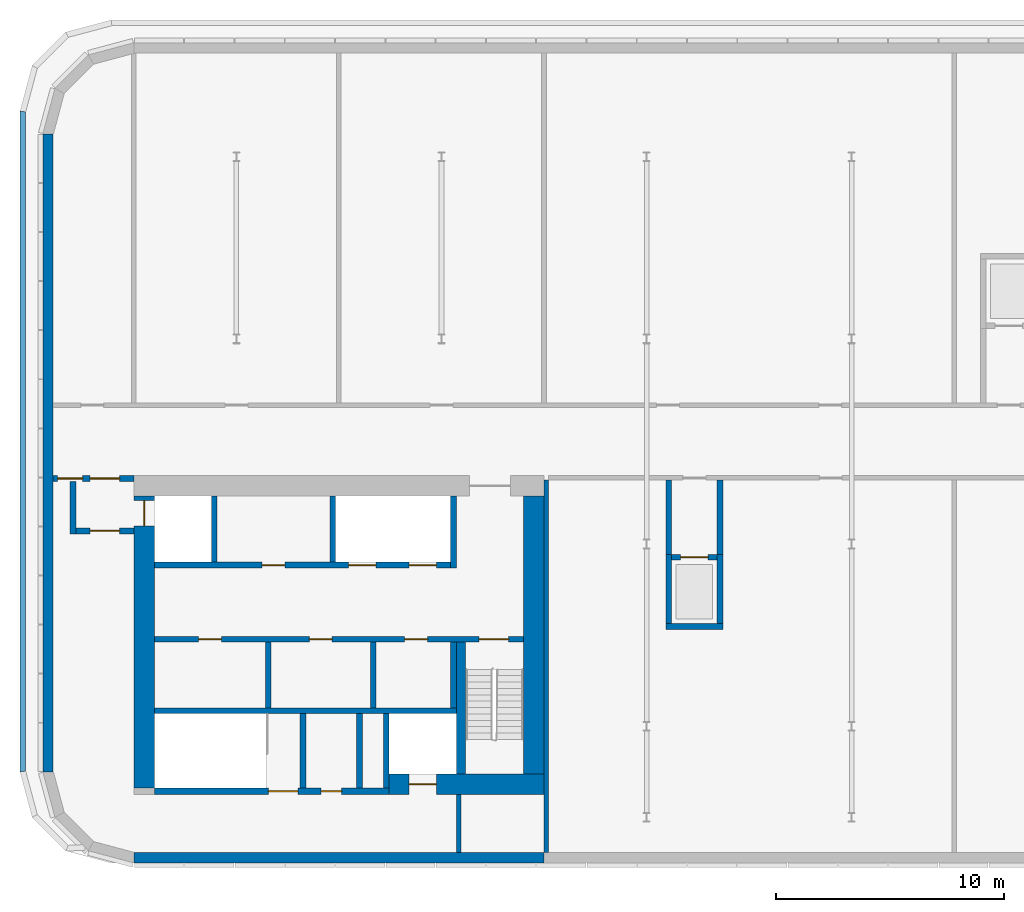
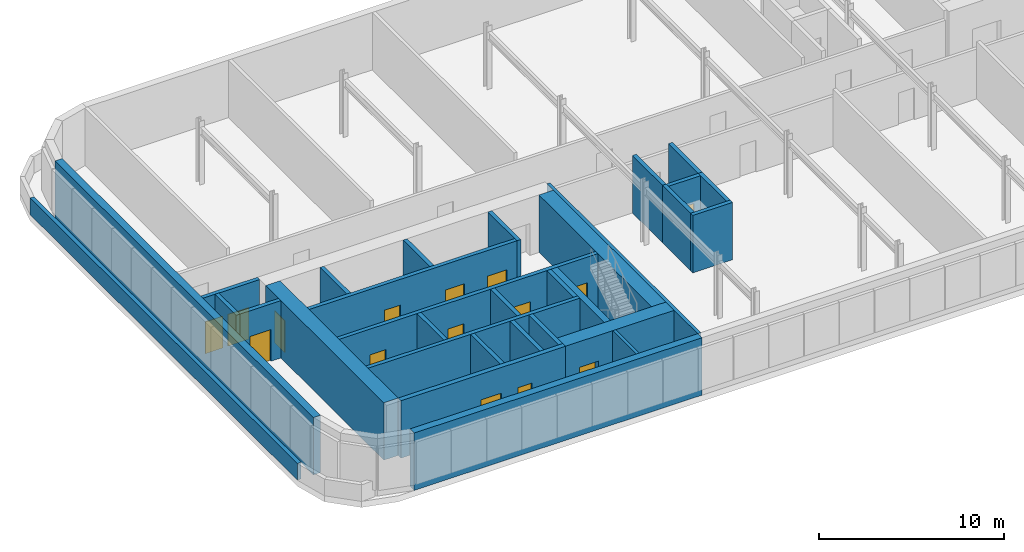
# One storey, part 4 of 10: 31 walls, 15 doors, 15 openings.
"""IFC4 building model written with IfcOpenShell, lengths in metres."""

from ifc_helpers import new_model, si_unit, direction, frame, frame_2d, origin, place, context, subcontext, project, spatial, polyline, rectangle, outline, extrude, material, layer, layer_set, type_object, element, fill, save


model = new_model("IFC4")

# Units and contexts
model_context = context("Model", 3, precision=1e-05, world=origin(), true_north=direction((0.0, 1.0)))
body_context = subcontext(model_context, "Body", "Model", "MODEL_VIEW")
ifc_project = project(units=[si_unit("LENGTHUNIT", "METRE"), si_unit("AREAUNIT", "SQUARE_METRE"), si_unit("VOLUMEUNIT", "CUBIC_METRE"), si_unit("PLANEANGLEUNIT", "RADIAN"), si_unit("MASSUNIT", "GRAM", prefix="KILO")], contexts=[model_context])

# Site, building, storey
site_placement = place(None, origin())
site = spatial("IfcSite", under=ifc_project, at=site_placement, CompositionType="ELEMENT")
building_placement = place(site_placement, origin())
building = spatial("IfcBuilding", under=site, at=building_placement, Name="Kajstack Hotel Tower", CompositionType="ELEMENT")
storey_placement = place(building_placement, frame((0.0, 0.0, 313.60009765625)))
storey = spatial("IfcBuildingStorey", under=building, at=storey_placement, Name="L79", CompositionType="ELEMENT", Elevation=313.60009765625)

# Wall, opening, door
ifc_material_1 = material(Name="Concrete C60/75", Category="concrete")
ifc_layer_1 = layer(ifc_material_1, 0.89990234375)
ifc_layer_set_1 = layer_set([ifc_layer_1], Name="Core wall 900")
wall_type_1 = type_object("IfcWallType", Name="Core wall 900", PredefinedType="SHEAR", material=ifc_layer_set_1)
wall_1_placement = place(storey_placement, frame((-20.300048828125, -15.050048828125, 0.0), z_axis=(0.0, 0.0, 1.0), x_axis=(1.0, 0.0, 0.0)))
wall_1 = element("IfcWall", 1, at=wall_1_placement, inside=storey, type_object=wall_type_1, Name="Core wall W RS", PredefinedType="SHEAR", context=body_context, shape_type="SweptSolid", body=[
    extrude(rectangle(XDim=6.800048828125, YDim=0.89990234375, at=frame_2d((3.39990234375, 0.0))), origin(), (0.0, 0.0, 1.0), 3.7998046875),
])
opening_1_placement = place(wall_1_placement, frame((0.875, 0.0, 0.0)))
opening_1 = element("IfcOpeningElement", 2, at=opening_1_placement, cuts=wall_1, Name="Opening LD-SV1", PredefinedType="OPENING", context=body_context, shape_type="SweptSolid", body=[
    extrude(rectangle(XDim=1.199951171875, YDim=2.10009765625, at=frame_2d((0.60009765625, 1.050048828125))), frame((0.0, 0.4599609375, 0.0), z_axis=(0.0, -1.0, 0.0), x_axis=(1.0, 0.0, 0.0)), (0.0, 0.0, 1.0), 0.919921875),
])
ifc_material_2 = material(Name="Stainless steel", Category="steel")
door_type_1 = type_object("IfcDoorType", Name="Lift landing door 1200", OperationType="SLIDING_TO_LEFT", PredefinedType="DOOR", material=ifc_material_2)
door_1_placement = place(opening_1_placement, origin())
door_1 = element("IfcDoor", 3, at=door_1_placement, inside=storey, type_object=door_type_1, Name="Landing door SV1", OperationType="SLIDING_TO_LEFT", OverallHeight=2.10009765625, OverallWidth=1.199951171875, PredefinedType="DOOR", context=body_context, shape_type="SweptSolid", body=[
    extrude(rectangle(XDim=1.199951171875, YDim=2.10009765625, at=frame_2d((0.60009765625, 1.050048828125))), frame((0.0, 0.02490234375, 0.0), z_axis=(0.0, -1.0, 0.0), x_axis=(1.0, 0.0, 0.0)), (0.0, 0.0, 1.0), 0.050048828125),
])
fill(opening_1, door_1)

wall_2_placement = place(storey_placement, frame((-31.050048828125, -15.199951171875, 0.0), z_axis=(0.0, 0.0, 1.0), x_axis=(0.0, 1.0, 0.0)))
wall_2 = element("IfcWall", 4, at=wall_2_placement, inside=storey, type_object=wall_type_1, Name="Core wall W RW", PredefinedType="SHEAR", context=body_context, shape_type="SweptSolid", body=[
    extrude(rectangle(XDim=12.800048828125, YDim=0.89990234375, at=frame_2d((6.39990234375, 0.0))), origin(), (0.0, 0.0, 1.0), 3.7998046875),
])
opening_2_placement = place(wall_2_placement, frame((11.5, 0.0, 0.0)))
opening_2 = element("IfcOpeningElement", 5, at=opening_2_placement, cuts=wall_2, Name="Opening LD-FF1", PredefinedType="OPENING", context=body_context, shape_type="SweptSolid", body=[
    extrude(rectangle(XDim=1.10009765625, YDim=2.10009765625, at=frame_2d((0.550048828125, 1.050048828125))), frame((0.0, 0.4599609375, 0.0), z_axis=(0.0, -1.0, 0.0), x_axis=(1.0, 0.0, 0.0)), (0.0, 0.0, 1.0), 0.919921875),
])
door_type_2 = type_object("IfcDoorType", Name="Fire-fighting lift landing door 1100", OperationType="SLIDING_TO_LEFT", PredefinedType="DOOR", material=ifc_material_2)
door_2_placement = place(opening_2_placement, origin())
door_2 = element("IfcDoor", 6, at=door_2_placement, inside=storey, type_object=door_type_2, Name="Landing door FF1", OperationType="SLIDING_TO_RIGHT", OverallHeight=2.10009765625, OverallWidth=1.10009765625, PredefinedType="DOOR", context=body_context, shape_type="SweptSolid", body=[
    extrude(rectangle(XDim=1.10009765625, YDim=2.10009765625, at=frame_2d((0.550048828125, 1.050048828125))), frame((0.0, 0.02490234375, 0.0), z_axis=(0.0, -1.0, 0.0), x_axis=(1.0, 0.0, 0.0)), (0.0, 0.0, 1.0), 0.050048828125),
])
fill(opening_2, door_2)

# Walls
wall_3_placement = place(storey_placement, frame((-13.949951171875, -14.60009765625, 0.0), z_axis=(0.0, 0.0, 1.0), x_axis=(0.0, 1.0, 0.0)))
element("IfcWall", 7, at=wall_3_placement, inside=storey, type_object=wall_type_1, Name="Core wall W RE", PredefinedType="SHEAR", context=body_context, shape_type="SweptSolid", body=[
    extrude(rectangle(XDim=12.2001953125, YDim=0.89990234375, at=frame_2d((6.10009765625, 0.0))), origin(), (0.0, 0.0, 1.0), 3.7998046875),
])
ifc_material_3 = material(Name="Concrete C40/50", Category="concrete")
ifc_layer_2 = layer(ifc_material_3, 0.449951171875)
ifc_layer_set_2 = layer_set([ifc_layer_2], Name="EW-CORE")
wall_type_2 = type_object("IfcWallType", Name="EW-CORE", PredefinedType="SOLIDWALL", material=ifc_layer_set_2)
wall_4_placement = place(storey_placement, frame((-31.5, -18.27490234375, 0.0), z_axis=(0.0, 0.0, 1.0), x_axis=(1.0, 0.0, 0.0)))
element("IfcWall", 8, at=wall_4_placement, inside=storey, type_object=wall_type_2, Name="E-wall-L79-03-00", PredefinedType="SOLIDWALL", context=body_context, shape_type="SweptSolid", body=[
    extrude(rectangle(XDim=18.0, YDim=0.449951171875, at=frame_2d((9.0, 0.0))), origin(), (0.0, 0.0, 1.0), 3.7998046875),
])
ifc_material_4 = material(Name="Zinc-clad block masonry", Category="masonry")
ifc_layer_3 = layer(ifc_material_4, 0.449951171875)
ifc_layer_set_3 = layer_set([ifc_layer_3], Name="EW-ZINC")
wall_type_3 = type_object("IfcWallType", Name="EW-ZINC", PredefinedType="SOLIDWALL", material=ifc_layer_set_3)
wall_5_placement = place(storey_placement, frame((-35.27490234375, 13.5, 0.0), z_axis=(0.0, 0.0, 1.0), x_axis=(0.0, -1.0, 0.0)))
element("IfcWall", 9, at=wall_5_placement, inside=storey, type_object=wall_type_3, Name="E-wall-L79-15-00", PredefinedType="SOLIDWALL", context=body_context, shape_type="SweptSolid", body=[
    extrude(rectangle(XDim=28.0, YDim=0.449951171875, at=frame_2d((14.0, 0.0))), origin(), (0.0, 0.0, 1.0), 3.7998046875),
])
ifc_material_5 = material(Name="Concrete C50/60", Category="concrete")
ifc_layer_4 = layer(ifc_material_5, 0.300048828125)
ifc_layer_set_4 = layer_set([ifc_layer_4], Name="Hoistway divider wall 300")
wall_type_4 = type_object("IfcWallType", Name="Hoistway divider wall 300", PredefinedType="SHEAR", material=ifc_layer_set_4)
wall_6_placement = place(storey_placement, frame((-22.77490234375, -5.300048828125, 0.0), z_axis=(0.0, 0.0, 1.0), x_axis=(0.0, 1.0, 0.0)))
element("IfcWall", 10, at=wall_6_placement, inside=storey, type_object=wall_type_4, Name="Core wall W AP2", PredefinedType="SHEAR", context=body_context, shape_type="SweptSolid", body=[
    extrude(rectangle(XDim=2.900146484375, YDim=0.25, at=frame_2d((1.4501953125, 0.0))), origin(), (0.0, 0.0, 1.0), 3.7998046875),
])
ifc_layer_5 = layer(ifc_material_4, 0.25)
ifc_layer_set_5 = layer_set([ifc_layer_5], Name="PARAPET-ZINC")
wall_type_5 = type_object("IfcWallType", Name="PARAPET-ZINC", PredefinedType="PARAPET", material=ifc_layer_set_5)
wall_7_placement = place(storey_placement, origin())
element("IfcWall", 11, at=wall_7_placement, inside=storey, type_object=wall_type_5, Name="Parapet L79-01-01-04", PredefinedType="PARAPET", context=body_context, shape_type="SweptSolid", body=[
    extrude(outline(polyline([(-36.5, -14.5), (-36.25, -14.467041015625), (-36.25, 14.467041015625), (-36.5, 14.5), (-36.5, -14.5)])), origin(), (0.0, 0.0, 1.0), 1.099853515625),
])
ifc_material_6 = material(Name="Gypsum board on steel studs, mineral wool", Category="steel")
ifc_layer_6 = layer(ifc_material_6, 0.199951171875)
ifc_layer_set_6 = layer_set([ifc_layer_6], Name="Public partition 200")
wall_type_6 = type_object("IfcWallType", Name="Public partition 200", PredefinedType="PARTITIONING", material=ifc_layer_set_6)
wall_8_placement = place(storey_placement, frame((-13.39990234375, -18.050048828125, 0.0), z_axis=(0.0, 0.0, 1.0), x_axis=(0.0, 1.0, 0.0)))
element("IfcWall", 12, at=wall_8_placement, inside=storey, type_object=wall_type_6, Name="Partition SEW", PredefinedType="PARTITIONING", context=body_context, shape_type="SweptSolid", body=[
    extrude(rectangle(XDim=16.35009765625, YDim=0.199951171875, at=frame_2d((8.175048828125, 0.0))), origin(), (0.0, 0.0, 1.0), 3.7998046875),
])
ifc_material_7 = material(Name="Concrete block masonry", Category="masonry")
ifc_layer_7 = layer(ifc_material_7, 0.25)
ifc_layer_set_7 = layer_set([ifc_layer_7], Name="Riser partition 250")
wall_type_7 = type_object("IfcWallType", Name="Riser partition 250", PredefinedType="PARTITIONING", material=ifc_layer_set_7)
for number, where, z_axis, x_axis, name in (
    (13, (-25.60009765625, -11.699951171875, 0.0), (0.0, 0.0, 1.0), (0.0, 1.0, 0.0), "Partition W BF0"),
    (14, (-21.0, -11.699951171875, 0.0), (0.0, 0.0, 1.0), (0.0, 1.0, 0.0), "Partition W BF1"),
):
    element("IfcWall", number, at=place(storey_placement, frame(where, z_axis=z_axis, x_axis=x_axis)), inside=storey, type_object=wall_type_7, Name=name, PredefinedType="PARTITIONING", context=body_context, shape_type="SweptSolid", body=[
        extrude(rectangle(XDim=2.89990234375, YDim=0.25, at=frame_2d((1.449951171875, 0.0))), origin(), (0.0, 0.0, 1.0), 3.7998046875),
    ])
wall_9_placement = place(storey_placement, frame((-21.60009765625, -15.199951171875, 0.0), z_axis=(0.0, 0.0, 1.0), x_axis=(0.0, 1.0, 0.0)))
element("IfcWall", 15, at=wall_9_placement, inside=storey, type_object=wall_type_7, Name="Partition W SZ0", PredefinedType="PARTITIONING", context=body_context, shape_type="SweptSolid", body=[
    extrude(rectangle(XDim=3.25, YDim=0.25, at=frame_2d((1.625, 0.0))), origin(), (0.0, 0.0, 1.0), 3.7998046875),
])
ifc_layer_8 = layer(ifc_material_6, 0.199951171875)
ifc_layer_set_8 = layer_set([ifc_layer_8], Name="Service partition 200")
wall_type_8 = type_object("IfcWallType", Name="Service partition 200", PredefinedType="PARTITIONING", material=ifc_layer_set_8)
for number, where, z_axis, x_axis, name in (
    (16, (-8.02490234375, -4.949951171875, 0.0), (0.0, 0.0, 1.0), (0.0, 1.0, 0.0), "Partition W CLLW"),
    (17, (-5.77490234375, -4.949951171875, 0.0), (0.0, 0.0, 1.0), (0.0, 1.0, 0.0), "Partition W CLLE"),
):
    element("IfcWall", number, at=place(storey_placement, frame(where, z_axis=z_axis, x_axis=x_axis)), inside=storey, type_object=wall_type_8, Name=name, PredefinedType="PARTITIONING", context=body_context, shape_type="SweptSolid", body=[
        extrude(rectangle(XDim=3.25, YDim=0.25, at=frame_2d((1.625, 0.0))), origin(), (0.0, 0.0, 1.0), 3.7998046875),
    ])

# Wall, openings, doors
wall_10_placement = place(storey_placement, frame((-35.050048828125, -1.625, 0.0), z_axis=(0.0, 0.0, 1.0), x_axis=(1.0, 0.0, 0.0)))
wall_10 = element("IfcWall", 18, at=wall_10_placement, inside=storey, type_object=wall_type_8, Name="Partition W SN", PredefinedType="PARTITIONING", context=body_context, shape_type="SweptSolid", body=[
    extrude(rectangle(XDim=3.550048828125, YDim=0.25, at=frame_2d((1.77490234375, 0.0))), origin(), (0.0, 0.0, 1.0), 3.7998046875),
])
opening_3_placement = place(wall_10_placement, frame((1.625, 0.0, 0.0)))
opening_3 = element("IfcOpeningElement", 19, at=opening_3_placement, cuts=wall_10, Name="Opening 79W07", PredefinedType="OPENING", context=body_context, shape_type="SweptSolid", body=[
    extrude(rectangle(XDim=1.300048828125, YDim=2.10009765625, at=frame_2d((0.64990234375, 1.050048828125))), frame((0.0, 0.135009765625, 0.0), z_axis=(0.0, -1.0, 0.0), x_axis=(1.0, 0.0, 0.0)), (0.0, 0.0, 1.0), 0.27001953125),
])
opening_4_placement = place(wall_10_placement, frame((0.199951171875, 0.0, 0.0)))
opening_4 = element("IfcOpeningElement", 20, at=opening_4_placement, cuts=wall_10, Name="Opening 79W09", PredefinedType="OPENING", context=body_context, shape_type="SweptSolid", body=[
    extrude(rectangle(XDim=1.10009765625, YDim=2.10009765625, at=frame_2d((0.550048828125, 1.050048828125))), frame((0.0, 0.135009765625, 0.0), z_axis=(0.0, -1.0, 0.0), x_axis=(1.0, 0.0, 0.0)), (0.0, 0.0, 1.0), 0.27001953125),
])
ifc_material_8 = material(Name="Steel leaf, fire-rated", Category="steel")
door_type_3 = type_object("IfcDoorType", Name="Fire lobby door 1300", OperationType="SINGLE_SWING_LEFT", PredefinedType="DOOR", material=ifc_material_8)
door_3_placement = place(opening_3_placement, origin())
door_3 = element("IfcDoor", 21, at=door_3_placement, inside=storey, type_object=door_type_3, Name="Door 79W07", OperationType="SINGLE_SWING_RIGHT", OverallHeight=2.10009765625, OverallWidth=1.300048828125, PredefinedType="DOOR", context=body_context, shape_type="SweptSolid", body=[
    extrude(rectangle(XDim=1.300048828125, YDim=2.10009765625, at=frame_2d((0.64990234375, 1.050048828125))), frame((0.0, 0.02490234375, 0.0), z_axis=(0.0, -1.0, 0.0), x_axis=(1.0, 0.0, 0.0)), (0.0, 0.0, 1.0), 0.050048828125),
])
fill(opening_3, door_3)
ifc_material_9 = material(Name="Timber leaf, fire-rated", Category="wood")
door_type_4 = type_object("IfcDoorType", Name="Service corridor door 1100", OperationType="SINGLE_SWING_LEFT", PredefinedType="DOOR", material=ifc_material_9)
door_4_placement = place(opening_4_placement, origin())
door_4 = element("IfcDoor", 22, at=door_4_placement, inside=storey, type_object=door_type_4, Name="Door 79W09", OperationType="SINGLE_SWING_RIGHT", OverallHeight=2.10009765625, OverallWidth=1.10009765625, PredefinedType="DOOR", context=body_context, shape_type="SweptSolid", body=[
    extrude(rectangle(XDim=1.10009765625, YDim=2.10009765625, at=frame_2d((0.550048828125, 1.050048828125))), frame((0.0, 0.02490234375, 0.0), z_axis=(0.0, -1.0, 0.0), x_axis=(1.0, 0.0, 0.0)), (0.0, 0.0, 1.0), 0.050048828125),
])
fill(opening_4, door_4)

# Walls
wall_11_placement = place(storey_placement, frame((-17.25, -18.050048828125, 0.0), z_axis=(0.0, 0.0, 1.0), x_axis=(0.0, 1.0, 0.0)))
element("IfcWall", 23, at=wall_11_placement, inside=storey, type_object=wall_type_8, Name="Partition W SCE", PredefinedType="PARTITIONING", context=body_context, shape_type="SweptSolid", body=[
    extrude(rectangle(XDim=2.550048828125, YDim=0.199951171875, at=frame_2d((1.27490234375, 0.0))), origin(), (0.0, 0.0, 1.0), 3.7998046875),
])
ifc_layer_9 = layer(ifc_material_5, 0.25)
ifc_layer_set_9 = layer_set([ifc_layer_9], Name="Shaft wall 250")
wall_type_9 = type_object("IfcWallType", Name="Shaft wall 250", PredefinedType="SHEAR", material=ifc_layer_set_9)
wall_12_placement = place(storey_placement, frame((-8.14990234375, -8.125, 0.0), z_axis=(0.0, 0.0, 1.0), x_axis=(1.0, 0.0, 0.0)))
element("IfcWall", 24, at=wall_12_placement, inside=storey, type_object=wall_type_9, Name="Core wall W CLS", PredefinedType="SHEAR", context=body_context, shape_type="SweptSolid", body=[
    extrude(rectangle(XDim=2.5, YDim=0.25, at=frame_2d((1.25, 0.0))), origin(), (0.0, 0.0, 1.0), 3.7998046875),
])
for number, where, z_axis, x_axis, name in (
    (25, (-8.02490234375, -8.0, 0.0), (0.0, 0.0, 1.0), (0.0, 1.0, 0.0), "Core wall W CLW"),
    (26, (-5.77490234375, -8.0, 0.0), (0.0, 0.0, 1.0), (0.0, 1.0, 0.0), "Core wall W CLE"),
):
    element("IfcWall", number, at=place(storey_placement, frame(where, z_axis=z_axis, x_axis=x_axis)), inside=storey, type_object=wall_type_9, Name=name, PredefinedType="SHEAR", context=body_context, shape_type="SweptSolid", body=[
        extrude(rectangle(XDim=3.050048828125, YDim=0.25, at=frame_2d((1.52490234375, 0.0))), origin(), (0.0, 0.0, 1.0), 3.7998046875),
    ])

# Wall, opening, door
wall_13_placement = place(storey_placement, frame((-7.89990234375, -5.074951171875, 0.0), z_axis=(0.0, 0.0, 1.0), x_axis=(1.0, 0.0, 0.0)))
wall_13 = element("IfcWall", 27, at=wall_13_placement, inside=storey, type_object=wall_type_9, Name="Core wall W CLN", PredefinedType="SHEAR", context=body_context, shape_type="SweptSolid", body=[
    extrude(rectangle(XDim=2.0, YDim=0.25, at=frame_2d((1.0, 0.0))), origin(), (0.0, 0.0, 1.0), 3.7998046875),
])
opening_5_placement = place(wall_13_placement, frame((0.39990234375, 0.0, 0.0)))
opening_5 = element("IfcOpeningElement", 28, at=opening_5_placement, cuts=wall_13, Name="Opening LD-CL1", PredefinedType="OPENING", context=body_context, shape_type="SweptSolid", body=[
    extrude(rectangle(XDim=1.199951171875, YDim=2.10009765625, at=frame_2d((0.60009765625, 1.050048828125))), frame((0.0, 0.135009765625, 0.0), z_axis=(0.0, -1.0, 0.0), x_axis=(1.0, 0.0, 0.0)), (0.0, 0.0, 1.0), 0.27001953125),
])
door_5_placement = place(opening_5_placement, origin())
door_5 = element("IfcDoor", 29, at=door_5_placement, inside=storey, type_object=door_type_1, Name="Landing door CL1", OperationType="SLIDING_TO_LEFT", OverallHeight=2.10009765625, OverallWidth=1.199951171875, PredefinedType="DOOR", context=body_context, shape_type="SweptSolid", body=[
    extrude(rectangle(XDim=1.199951171875, YDim=2.10009765625, at=frame_2d((0.60009765625, 1.050048828125))), frame((0.0, 0.02490234375, 0.0), z_axis=(0.0, -1.0, 0.0), x_axis=(1.0, 0.0, 0.0)), (0.0, 0.0, 1.0), 0.050048828125),
])
fill(opening_5, door_5)

# Wall, openings, doors
wall_14_placement = place(storey_placement, frame((-30.60009765625, -15.35009765625, 0.0), z_axis=(0.0, 0.0, 1.0), x_axis=(1.0, 0.0, 0.0)))
wall_14 = element("IfcWall", 30, at=wall_14_placement, inside=storey, type_object=wall_type_9, Name="Core wall W RSS", PredefinedType="SHEAR", context=body_context, shape_type="SweptSolid", body=[
    extrude(rectangle(XDim=10.300048828125, YDim=0.300048828125, at=frame_2d((5.14990234375, 0.0))), origin(), (0.0, 0.0, 1.0), 3.7998046875),
])
opening_6_placement = place(wall_14_placement, frame((5.0, 0.0, 0.0)))
opening_6 = element("IfcOpeningElement", 31, at=opening_6_placement, cuts=wall_14, Name="Opening 79W11", PredefinedType="OPENING", context=body_context, shape_type="SweptSolid", body=[
    extrude(rectangle(XDim=1.300048828125, YDim=2.10009765625, at=frame_2d((0.64990234375, 1.050048828125))), frame((0.0, 0.159912109375, 0.0), z_axis=(0.0, -1.0, 0.0), x_axis=(1.0, 0.0, 0.0)), (0.0, 0.0, 1.0), 0.320068359375),
])
opening_7_placement = place(wall_14_placement, frame((7.3125, 0.0, 0.0)))
opening_7 = element("IfcOpeningElement", 32, at=opening_7_placement, cuts=wall_14, Name="Opening 79W12", PredefinedType="OPENING", context=body_context, shape_type="SweptSolid", body=[
    extrude(rectangle(XDim=0.89990234375, YDim=2.10009765625, at=frame_2d((0.449951171875, 1.050048828125))), frame((0.0, 0.159912109375, 0.0), z_axis=(0.0, -1.0, 0.0), x_axis=(1.0, 0.0, 0.0)), (0.0, 0.0, 1.0), 0.320068359375),
])
door_type_5 = type_object("IfcDoorType", Name="Service door 900", OperationType="SINGLE_SWING_LEFT", PredefinedType="DOOR", material=ifc_material_9)
door_6_placement = place(opening_7_placement, origin())
door_6 = element("IfcDoor", 33, at=door_6_placement, inside=storey, type_object=door_type_5, Name="Door 79W12", OperationType="SINGLE_SWING_LEFT", OverallHeight=2.10009765625, OverallWidth=0.89990234375, PredefinedType="DOOR", context=body_context, shape_type="SweptSolid", body=[
    extrude(rectangle(XDim=0.89990234375, YDim=2.10009765625, at=frame_2d((0.449951171875, 1.050048828125))), frame((0.0, 0.02490234375, 0.0), z_axis=(0.0, -1.0, 0.0), x_axis=(1.0, 0.0, 0.0)), (0.0, 0.0, 1.0), 0.050048828125),
])
fill(opening_7, door_6)
door_type_6 = type_object("IfcDoorType", Name="Stair door 1300", OperationType="SINGLE_SWING_LEFT", PredefinedType="DOOR", material=ifc_material_8)
door_7_placement = place(opening_6_placement, origin())
door_7 = element("IfcDoor", 34, at=door_7_placement, inside=storey, type_object=door_type_6, Name="Door 79W11", OperationType="SINGLE_SWING_RIGHT", OverallHeight=2.10009765625, OverallWidth=1.300048828125, PredefinedType="DOOR", context=body_context, shape_type="SweptSolid", body=[
    extrude(rectangle(XDim=1.300048828125, YDim=2.10009765625, at=frame_2d((0.64990234375, 1.050048828125))), frame((0.0, 0.02490234375, 0.0), z_axis=(0.0, -1.0, 0.0), x_axis=(1.0, 0.0, 0.0)), (0.0, 0.0, 1.0), 0.050048828125),
])
fill(opening_6, door_7)

wall_15_placement = place(storey_placement, frame((-30.60009765625, -5.425048828125, 0.0), z_axis=(0.0, 0.0, 1.0), x_axis=(1.0, 0.0, 0.0)))
wall_15 = element("IfcWall", 35, at=wall_15_placement, inside=storey, type_object=wall_type_9, Name="Core wall W FA", PredefinedType="SHEAR", context=body_context, shape_type="SweptSolid", body=[
    extrude(rectangle(XDim=13.0, YDim=0.25, at=frame_2d((6.5, 0.0))), origin(), (0.0, 0.0, 1.0), 3.7998046875),
])
opening_8_placement = place(wall_15_placement, frame((8.52490234375, 0.0, 0.0)))
opening_8 = element("IfcOpeningElement", 36, at=opening_8_placement, cuts=wall_15, Name="Opening LD-HR1", PredefinedType="OPENING", context=body_context, shape_type="SweptSolid", body=[
    extrude(rectangle(XDim=1.199951171875, YDim=2.10009765625, at=frame_2d((0.60009765625, 1.050048828125))), frame((0.0, 0.135009765625, 0.0), z_axis=(0.0, -1.0, 0.0), x_axis=(1.0, 0.0, 0.0)), (0.0, 0.0, 1.0), 0.27001953125),
])
opening_9_placement = place(wall_15_placement, frame((11.175048828125, 0.0, 0.0)))
opening_9 = element("IfcOpeningElement", 37, at=opening_9_placement, cuts=wall_15, Name="Opening LD-HR2", PredefinedType="OPENING", context=body_context, shape_type="SweptSolid", body=[
    extrude(rectangle(XDim=1.199951171875, YDim=2.10009765625, at=frame_2d((0.60009765625, 1.050048828125))), frame((0.0, 0.135009765625, 0.0), z_axis=(0.0, -1.0, 0.0), x_axis=(1.0, 0.0, 0.0)), (0.0, 0.0, 1.0), 0.27001953125),
])
opening_10_placement = place(wall_15_placement, frame((4.72509765625, 0.0, 0.0)))
opening_10 = element("IfcOpeningElement", 38, at=opening_10_placement, cuts=wall_15, Name="Opening 79W16", PredefinedType="OPENING", context=body_context, shape_type="SweptSolid", body=[
    extrude(rectangle(XDim=1.0, YDim=2.10009765625, at=frame_2d((0.5, 1.050048828125))), frame((0.0, 0.135009765625, 0.0), z_axis=(0.0, -1.0, 0.0), x_axis=(1.0, 0.0, 0.0)), (0.0, 0.0, 1.0), 0.27001953125),
])
door_8_placement = place(opening_8_placement, origin())
door_8 = element("IfcDoor", 39, at=door_8_placement, inside=storey, type_object=door_type_1, Name="Landing door HR1", OperationType="SLIDING_TO_LEFT", OverallHeight=2.10009765625, OverallWidth=1.199951171875, PredefinedType="DOOR", context=body_context, shape_type="SweptSolid", body=[
    extrude(rectangle(XDim=1.199951171875, YDim=2.10009765625, at=frame_2d((0.60009765625, 1.050048828125))), frame((0.0, 0.02490234375, 0.0), z_axis=(0.0, -1.0, 0.0), x_axis=(1.0, 0.0, 0.0)), (0.0, 0.0, 1.0), 0.050048828125),
])
fill(opening_8, door_8)
door_9_placement = place(opening_9_placement, origin())
door_9 = element("IfcDoor", 40, at=door_9_placement, inside=storey, type_object=door_type_1, Name="Landing door HR2", OperationType="SLIDING_TO_RIGHT", OverallHeight=2.10009765625, OverallWidth=1.199951171875, PredefinedType="DOOR", context=body_context, shape_type="SweptSolid", body=[
    extrude(rectangle(XDim=1.199951171875, YDim=2.10009765625, at=frame_2d((0.60009765625, 1.050048828125))), frame((0.0, 0.02490234375, 0.0), z_axis=(0.0, -1.0, 0.0), x_axis=(1.0, 0.0, 0.0)), (0.0, 0.0, 1.0), 0.050048828125),
])
fill(opening_9, door_9)
door_type_7 = type_object("IfcDoorType", Name="Service room door 1000", OperationType="SINGLE_SWING_LEFT", PredefinedType="DOOR", material=ifc_material_9)
door_10_placement = place(opening_10_placement, origin())
door_10 = element("IfcDoor", 41, at=door_10_placement, inside=storey, type_object=door_type_7, Name="Door 79W16", OperationType="SINGLE_SWING_RIGHT", OverallHeight=2.10009765625, OverallWidth=1.0, PredefinedType="DOOR", context=body_context, shape_type="SweptSolid", body=[
    extrude(rectangle(XDim=1.0, YDim=2.10009765625, at=frame_2d((0.5, 1.050048828125))), frame((0.0, 0.02490234375, 0.0), z_axis=(0.0, -1.0, 0.0), x_axis=(1.0, 0.0, 0.0)), (0.0, 0.0, 1.0), 0.050048828125),
])
fill(opening_10, door_10)

# Walls
wall_16_placement = place(storey_placement, frame((-17.47509765625, -5.550048828125, 0.0), z_axis=(0.0, 0.0, 1.0), x_axis=(0.0, 1.0, 0.0)))
element("IfcWall", 42, at=wall_16_placement, inside=storey, type_object=wall_type_9, Name="Core wall W AE", PredefinedType="SHEAR", context=body_context, shape_type="SweptSolid", body=[
    extrude(rectangle(XDim=3.150146484375, YDim=0.25, at=frame_2d((1.5751953125, 0.0))), origin(), (0.0, 0.0, 1.0), 3.7998046875),
])
wall_17_placement = place(storey_placement, frame((-27.97509765625, -5.300048828125, 0.0), z_axis=(0.0, 0.0, 1.0), x_axis=(0.0, 1.0, 0.0)))
element("IfcWall", 43, at=wall_17_placement, inside=storey, type_object=wall_type_9, Name="Core wall W AP0", PredefinedType="SHEAR", context=body_context, shape_type="SweptSolid", body=[
    extrude(rectangle(XDim=2.900146484375, YDim=0.25, at=frame_2d((1.4501953125, 0.0))), origin(), (0.0, 0.0, 1.0), 3.7998046875),
])

# Wall, openings, doors
wall_18_placement = place(storey_placement, frame((-30.60009765625, -8.675048828125, 0.0), z_axis=(0.0, 0.0, 1.0), x_axis=(1.0, 0.0, 0.0)))
wall_18 = element("IfcWall", 44, at=wall_18_placement, inside=storey, type_object=wall_type_9, Name="Core wall W FB", PredefinedType="SHEAR", context=body_context, shape_type="SweptSolid", body=[
    extrude(rectangle(XDim=16.2001953125, YDim=0.25, at=frame_2d((8.10009765625, 0.0))), origin(), (0.0, 0.0, 1.0), 3.7998046875),
])
opening_11_placement = place(wall_18_placement, frame((14.25, 0.0, 0.0)))
opening_11 = element("IfcOpeningElement", 45, at=opening_11_placement, cuts=wall_18, Name="Opening 79W10", PredefinedType="OPENING", context=body_context, shape_type="SweptSolid", body=[
    extrude(rectangle(XDim=1.300048828125, YDim=2.10009765625, at=frame_2d((0.64990234375, 1.050048828125))), frame((0.0, 0.135009765625, 0.0), z_axis=(0.0, -1.0, 0.0), x_axis=(1.0, 0.0, 0.0)), (0.0, 0.0, 1.0), 0.27001953125),
])
opening_12_placement = place(wall_18_placement, frame((1.9375, 0.0, 0.0)))
opening_12 = element("IfcOpeningElement", 46, at=opening_12_placement, cuts=wall_18, Name="Opening 79W13", PredefinedType="OPENING", context=body_context, shape_type="SweptSolid", body=[
    extrude(rectangle(XDim=1.0, YDim=2.10009765625, at=frame_2d((0.5, 1.050048828125))), frame((0.0, 0.135009765625, 0.0), z_axis=(0.0, -1.0, 0.0), x_axis=(1.0, 0.0, 0.0)), (0.0, 0.0, 1.0), 0.27001953125),
])
opening_13_placement = place(wall_18_placement, frame((6.800048828125, 0.0, 0.0)))
opening_13 = element("IfcOpeningElement", 47, at=opening_13_placement, cuts=wall_18, Name="Opening 79W14", PredefinedType="OPENING", context=body_context, shape_type="SweptSolid", body=[
    extrude(rectangle(XDim=1.0, YDim=2.10009765625, at=frame_2d((0.5, 1.050048828125))), frame((0.0, 0.135009765625, 0.0), z_axis=(0.0, -1.0, 0.0), x_axis=(1.0, 0.0, 0.0)), (0.0, 0.0, 1.0), 0.27001953125),
])
opening_14_placement = place(wall_18_placement, frame((10.987548828125, 0.0, 0.0)))
opening_14 = element("IfcOpeningElement", 48, at=opening_14_placement, cuts=wall_18, Name="Opening 79W15", PredefinedType="OPENING", context=body_context, shape_type="SweptSolid", body=[
    extrude(rectangle(XDim=1.0, YDim=2.10009765625, at=frame_2d((0.5, 1.050048828125))), frame((0.0, 0.135009765625, 0.0), z_axis=(0.0, -1.0, 0.0), x_axis=(1.0, 0.0, 0.0)), (0.0, 0.0, 1.0), 0.27001953125),
])
door_11_placement = place(opening_12_placement, origin())
door_11 = element("IfcDoor", 49, at=door_11_placement, inside=storey, type_object=door_type_7, Name="Door 79W13", OperationType="SINGLE_SWING_RIGHT", OverallHeight=2.10009765625, OverallWidth=1.0, PredefinedType="DOOR", context=body_context, shape_type="SweptSolid", body=[
    extrude(rectangle(XDim=1.0, YDim=2.10009765625, at=frame_2d((0.5, 1.050048828125))), frame((0.0, 0.02490234375, 0.0), z_axis=(0.0, -1.0, 0.0), x_axis=(1.0, 0.0, 0.0)), (0.0, 0.0, 1.0), 0.050048828125),
])
fill(opening_12, door_11)
door_12_placement = place(opening_13_placement, origin())
door_12 = element("IfcDoor", 50, at=door_12_placement, inside=storey, type_object=door_type_7, Name="Door 79W14", OperationType="SINGLE_SWING_RIGHT", OverallHeight=2.10009765625, OverallWidth=1.0, PredefinedType="DOOR", context=body_context, shape_type="SweptSolid", body=[
    extrude(rectangle(XDim=1.0, YDim=2.10009765625, at=frame_2d((0.5, 1.050048828125))), frame((0.0, 0.02490234375, 0.0), z_axis=(0.0, -1.0, 0.0), x_axis=(1.0, 0.0, 0.0)), (0.0, 0.0, 1.0), 0.050048828125),
])
fill(opening_13, door_12)
door_13_placement = place(opening_14_placement, origin())
door_13 = element("IfcDoor", 51, at=door_13_placement, inside=storey, type_object=door_type_7, Name="Door 79W15", OperationType="SINGLE_SWING_RIGHT", OverallHeight=2.10009765625, OverallWidth=1.0, PredefinedType="DOOR", context=body_context, shape_type="SweptSolid", body=[
    extrude(rectangle(XDim=1.0, YDim=2.10009765625, at=frame_2d((0.5, 1.050048828125))), frame((0.0, 0.02490234375, 0.0), z_axis=(0.0, -1.0, 0.0), x_axis=(1.0, 0.0, 0.0)), (0.0, 0.0, 1.0), 0.050048828125),
])
fill(opening_14, door_13)
door_14_placement = place(opening_11_placement, origin())
door_14 = element("IfcDoor", 52, at=door_14_placement, inside=storey, type_object=door_type_6, Name="Door 79W10", OperationType="SINGLE_SWING_RIGHT", OverallHeight=2.10009765625, OverallWidth=1.300048828125, PredefinedType="DOOR", context=body_context, shape_type="SweptSolid", body=[
    extrude(rectangle(XDim=1.300048828125, YDim=2.10009765625, at=frame_2d((0.64990234375, 1.050048828125))), frame((0.0, 0.02490234375, 0.0), z_axis=(0.0, -1.0, 0.0), x_axis=(1.0, 0.0, 0.0)), (0.0, 0.0, 1.0), 0.050048828125),
])
fill(opening_11, door_14)

# Walls
wall_19_placement = place(storey_placement, frame((-30.60009765625, -11.824951171875, 0.0), z_axis=(0.0, 0.0, 1.0), x_axis=(1.0, 0.0, 0.0)))
element("IfcWall", 53, at=wall_19_placement, inside=storey, type_object=wall_type_9, Name="Core wall W RB", PredefinedType="SHEAR", context=body_context, shape_type="SweptSolid", body=[
    extrude(rectangle(XDim=13.25, YDim=0.25, at=frame_2d((6.625, 0.0))), origin(), (0.0, 0.0, 1.0), 3.7998046875),
])
wall_20_placement = place(storey_placement, frame((-17.47509765625, -11.699951171875, 0.0), z_axis=(0.0, 0.0, 1.0), x_axis=(0.0, 1.0, 0.0)))
element("IfcWall", 54, at=wall_20_placement, inside=storey, type_object=wall_type_9, Name="Core wall W BE", PredefinedType="SHEAR", context=body_context, shape_type="SweptSolid", body=[
    extrude(rectangle(XDim=2.89990234375, YDim=0.25, at=frame_2d((1.449951171875, 0.0))), origin(), (0.0, 0.0, 1.0), 3.7998046875),
])
wall_21_placement = place(storey_placement, frame((-20.425048828125, -15.199951171875, 0.0), z_axis=(0.0, 0.0, 1.0), x_axis=(0.0, 1.0, 0.0)))
element("IfcWall", 55, at=wall_21_placement, inside=storey, type_object=wall_type_9, Name="Core wall W SVW", PredefinedType="SHEAR", context=body_context, shape_type="SweptSolid", body=[
    extrude(rectangle(XDim=3.25, YDim=0.25, at=frame_2d((1.625, 0.0))), origin(), (0.0, 0.0, 1.0), 3.7998046875),
])

# Wall, opening, door
ifc_layer_10 = layer(ifc_material_3, 0.25)
ifc_layer_set_10 = layer_set([ifc_layer_10], Name="Stair enclosure wall 250")
wall_type_10 = type_object("IfcWallType", Name="Stair enclosure wall 250", PredefinedType="SHEAR", material=ifc_layer_set_10)
wall_22_placement = place(storey_placement, frame((-34.050048828125, -3.925048828125, 0.0), z_axis=(0.0, 0.0, 1.0), x_axis=(1.0, 0.0, 0.0)))
wall_22 = element("IfcWall", 56, at=wall_22_placement, inside=storey, type_object=wall_type_10, Name="Core wall W W1N", PredefinedType="SHEAR", context=body_context, shape_type="SweptSolid", body=[
    extrude(rectangle(XDim=2.550048828125, YDim=0.25, at=frame_2d((1.27490234375, 0.0))), origin(), (0.0, 0.0, 1.0), 3.7998046875),
])
opening_15_placement = place(wall_22_placement, frame((0.625, 0.0, 0.0)))
opening_15 = element("IfcOpeningElement", 57, at=opening_15_placement, cuts=wall_22, Name="Opening 79W08", PredefinedType="OPENING", context=body_context, shape_type="SweptSolid", body=[
    extrude(rectangle(XDim=1.300048828125, YDim=2.10009765625, at=frame_2d((0.64990234375, 1.050048828125))), frame((0.0, 0.135009765625, 0.0), z_axis=(0.0, -1.0, 0.0), x_axis=(1.0, 0.0, 0.0)), (0.0, 0.0, 1.0), 0.27001953125),
])
door_15_placement = place(opening_15_placement, origin())
door_15 = element("IfcDoor", 58, at=door_15_placement, inside=storey, type_object=door_type_3, Name="Door 79W08", OperationType="SINGLE_SWING_RIGHT", OverallHeight=2.10009765625, OverallWidth=1.300048828125, PredefinedType="DOOR", context=body_context, shape_type="SweptSolid", body=[
    extrude(rectangle(XDim=1.300048828125, YDim=2.10009765625, at=frame_2d((0.64990234375, 1.050048828125))), frame((0.0, 0.02490234375, 0.0), z_axis=(0.0, -1.0, 0.0), x_axis=(1.0, 0.0, 0.0)), (0.0, 0.0, 1.0), 0.050048828125),
])
fill(opening_15, door_15)

# Walls
wall_23_placement = place(storey_placement, frame((-34.175048828125, -4.050048828125, 0.0), z_axis=(0.0, 0.0, 1.0), x_axis=(0.0, 1.0, 0.0)))
element("IfcWall", 59, at=wall_23_placement, inside=storey, type_object=wall_type_10, Name="Core wall W W1W", PredefinedType="SHEAR", context=body_context, shape_type="SweptSolid", body=[
    extrude(rectangle(XDim=2.300048828125, YDim=0.25, at=frame_2d((1.14990234375, 0.0))), origin(), (0.0, 0.0, 1.0), 3.7998046875),
])
ifc_layer_11 = layer(ifc_material_5, 0.35009765625)
ifc_layer_set_11 = layer_set([ifc_layer_11], Name="Stair enclosure wall 350")
wall_type_11 = type_object("IfcWallType", Name="Stair enclosure wall 350", PredefinedType="SHEAR", material=ifc_layer_set_11)
wall_24_placement = place(storey_placement, frame((-24.074951171875, -15.199951171875, 0.0), z_axis=(0.0, 0.0, 1.0), x_axis=(0.0, 1.0, 0.0)))
element("IfcWall", 60, at=wall_24_placement, inside=storey, type_object=wall_type_11, Name="Core wall W W3E", PredefinedType="SHEAR", context=body_context, shape_type="SweptSolid", body=[
    extrude(rectangle(XDim=3.25, YDim=0.25, at=frame_2d((1.625, 0.0))), origin(), (0.0, 0.0, 1.0), 3.7998046875),
])
ifc_layer_12 = layer(ifc_material_5, 0.39990234375)
ifc_layer_set_12 = layer_set([ifc_layer_12], Name="Stair wall 400")
wall_type_12 = type_object("IfcWallType", Name="Stair wall 400", PredefinedType="SHEAR", material=ifc_layer_set_12)
wall_25_placement = place(storey_placement, frame((-17.14990234375, -14.60009765625, 0.0), z_axis=(0.0, 0.0, 1.0), x_axis=(0.0, 1.0, 0.0)))
element("IfcWall", 61, at=wall_25_placement, inside=storey, type_object=wall_type_12, Name="Core wall W WW2", PredefinedType="SHEAR", context=body_context, shape_type="SweptSolid", body=[
    extrude(rectangle(XDim=5.800048828125, YDim=0.39990234375, at=frame_2d((2.89990234375, 0.0))), origin(), (0.0, 0.0, 1.0), 3.7998046875),
])

save(model, "model.ifc")
